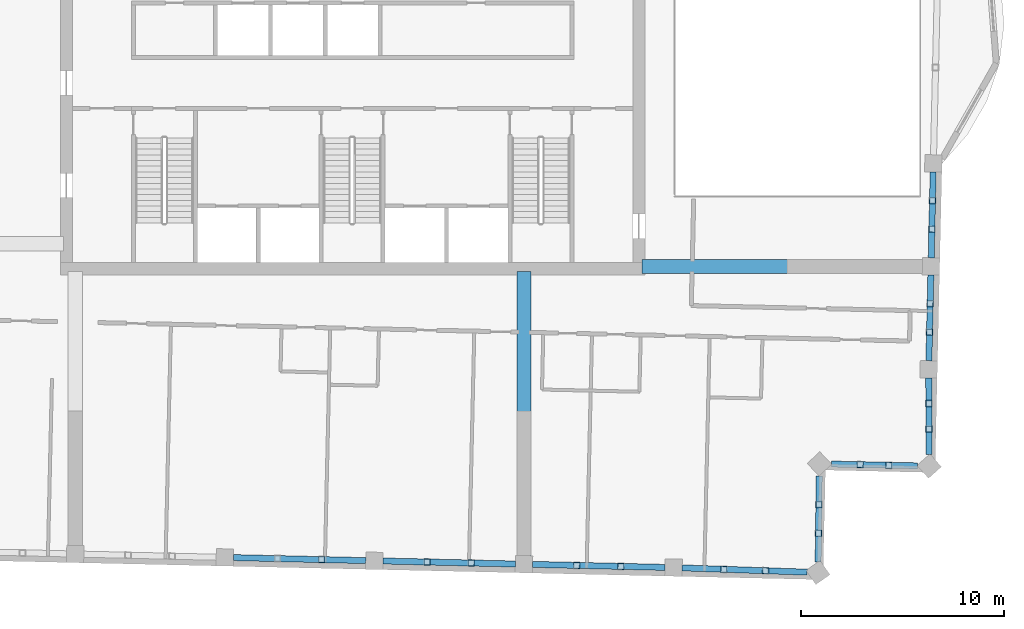
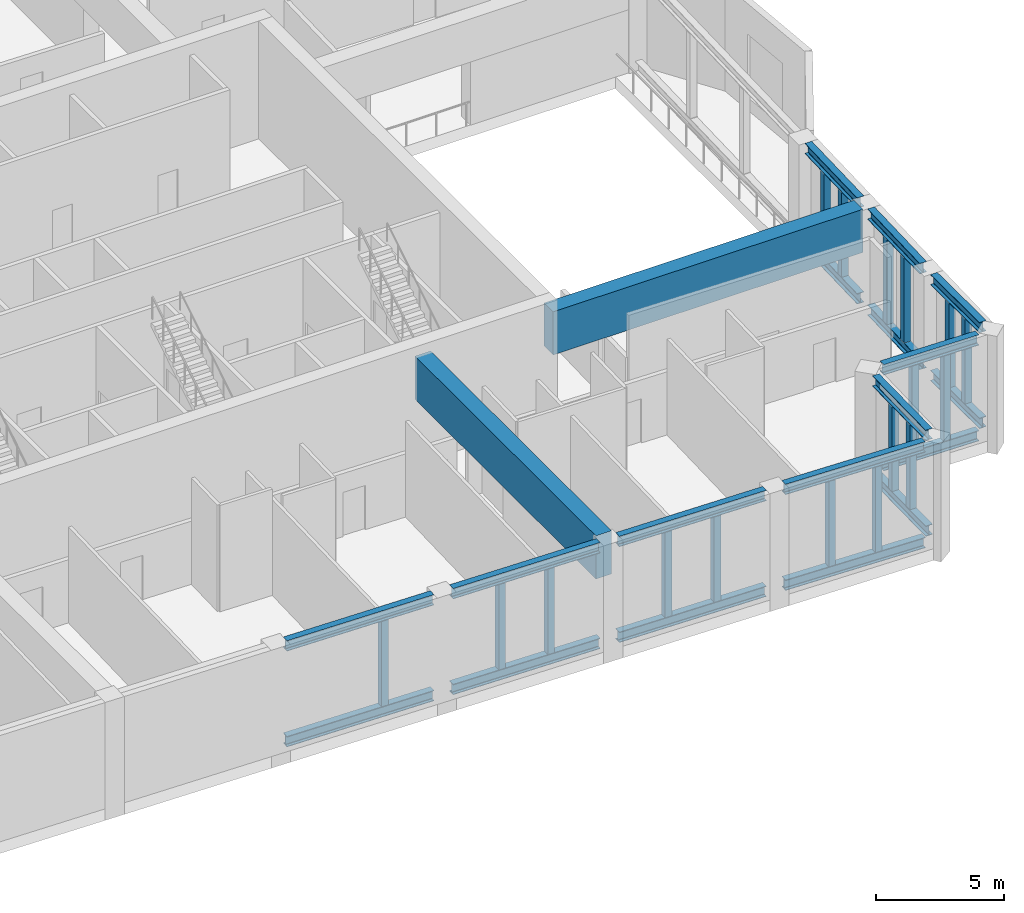
# One storey, part 4 of 16: 35 members, 2 beams.
"""IFC4 building model written with IfcOpenShell, lengths in metres."""

from ifc_helpers import new_model, si_unit, direction, frame, origin, origin_2d, place, context, subcontext, project, spatial, rectangle, hollow_rectangle, i_section, extrude, material, material_profile, profile_set, type_object, element, save


model = new_model("IFC4")

# Units and contexts
model_context = context("Model", 3, precision=1e-05, world=origin(), true_north=direction((0.0, 1.0)))
body_context = subcontext(model_context, "Body", "Model", "MODEL_VIEW")
ifc_project = project(units=[si_unit("LENGTHUNIT", "METRE"), si_unit("AREAUNIT", "SQUARE_METRE"), si_unit("VOLUMEUNIT", "CUBIC_METRE"), si_unit("PLANEANGLEUNIT", "RADIAN"), si_unit("MASSUNIT", "GRAM", prefix="KILO")], contexts=[model_context])

# Site, building, storey
site_placement = place(None, origin())
site = spatial("IfcSite", under=ifc_project, at=site_placement, CompositionType="ELEMENT")
building_placement = place(site_placement, origin())
building = spatial("IfcBuilding", under=site, at=building_placement, Name="Mangrove Gate Tower", CompositionType="ELEMENT")
storey_placement = place(building_placement, frame((0.0, 0.0, 324.10009765625)))
storey = spatial("IfcBuildingStorey", under=building, at=storey_placement, Name="L83", CompositionType="ELEMENT", Elevation=324.10009765625)

# Members
ifc_material_1 = material(Name="Steel S355J2", Category="steel")
ifc_material_profile_1 = material_profile(ifc_material_1, i_section(OverallWidth=0.300048828125, OverallDepth=0.5, WebThickness=0.014404296875, FlangeThickness=0.028076171875, FilletRadius=0.027099609375, at=origin_2d()))
ifc_profile_set_1 = profile_set([ifc_material_profile_1], Name="Steel S355J2")
member_type_1 = type_object("IfcMemberType", Name="Belt truss chord HE 500 B", PredefinedType="CHORD", material=ifc_profile_set_1)
for number, where, z_axis, x_axis, name in (
    (1, (-5.87451171875, -25.334716796875, 0.25), (0.999743514138, -0.022647426744, 0.0), (0.022647426744, 0.999743514138, 0.0), "Belt truss bottom chord L83 08"),
    (2, (-5.87451171875, -25.334716796875, 4.7998046875), (0.999743514138, -0.022647426744, 0.0), (0.022647426744, 0.999743514138, 0.0), "Belt truss top chord L83 08"),
):
    element("IfcMember", number, at=place(storey_placement, frame(where, z_axis=z_axis, x_axis=x_axis)), inside=storey, type_object=member_type_1, Name=name, PredefinedType="CHORD", context=body_context, shape_type="SweptSolid", body=[
        extrude(i_section(OverallWidth=0.300048828125, OverallDepth=0.5, WebThickness=0.014404296875, FlangeThickness=0.028076171875, FilletRadius=0.027099609375, at=origin_2d()), origin(), (0.0, 0.0, 1.0), 6.52197265625),
    ])
for number, where, z_axis, x_axis, name in (
    (3, (1.49560546875, -25.501708984375, 0.25), (0.999740015405, -0.022801350812, 0.0), (0.022801350812, 0.999740015405, 0.0), "Belt truss bottom chord L83 09"),
    (4, (1.49560546875, -25.501708984375, 4.7998046875), (0.999740015405, -0.022801350812, 0.0), (0.022801350812, 0.999740015405, 0.0), "Belt truss top chord L83 09"),
):
    element("IfcMember", number, at=place(storey_placement, frame(where, z_axis=z_axis, x_axis=x_axis)), inside=storey, type_object=member_type_1, Name=name, PredefinedType="CHORD", context=body_context, shape_type="SweptSolid", body=[
        extrude(i_section(OverallWidth=0.300048828125, OverallDepth=0.5, WebThickness=0.014404296875, FlangeThickness=0.028076171875, FilletRadius=0.027099609375, at=origin_2d()), origin(), (0.0, 0.0, 1.0), 6.520751953125),
    ])
for number, where, z_axis, x_axis, name in (
    (5, (8.864501953125, -25.669677734375, 0.25), (0.999743514138, -0.022647426744, 0.0), (0.022647426744, 0.999743514138, 0.0), "Belt truss bottom chord L83 10"),
    (6, (8.864501953125, -25.669677734375, 4.7998046875), (0.999743514138, -0.022647426744, 0.0), (0.022647426744, 0.999743514138, 0.0), "Belt truss top chord L83 10"),
):
    element("IfcMember", number, at=place(storey_placement, frame(where, z_axis=z_axis, x_axis=x_axis)), inside=storey, type_object=member_type_1, Name=name, PredefinedType="CHORD", context=body_context, shape_type="SweptSolid", body=[
        extrude(i_section(OverallWidth=0.300048828125, OverallDepth=0.5, WebThickness=0.014404296875, FlangeThickness=0.028076171875, FilletRadius=0.027099609375, at=origin_2d()), origin(), (0.0, 0.0, 1.0), 6.52197265625),
    ])
for number, where, z_axis, x_axis, name in (
    (7, (16.234375, -25.841552734375, 0.25), (0.999414481701, -0.034215402472, 0.0), (0.034215402472, 0.999414481701, 0.0), "Belt truss bottom chord L83 11"),
    (8, (16.234375, -25.841552734375, 4.7998046875), (0.999414481701, -0.034215402472, 0.0), (0.034215402472, 0.999414481701, 0.0), "Belt truss top chord L83 11"),
):
    element("IfcMember", number, at=place(storey_placement, frame(where, z_axis=z_axis, x_axis=x_axis)), inside=storey, type_object=member_type_1, Name=name, PredefinedType="CHORD", context=body_context, shape_type="SweptSolid", body=[
        extrude(i_section(OverallWidth=0.300048828125, OverallDepth=0.5, WebThickness=0.014404296875, FlangeThickness=0.028076171875, FilletRadius=0.027099609375, at=origin_2d()), origin(), (0.0, 0.0, 1.0), 6.1650390625),
    ])
for number, where, z_axis, x_axis, name in (
    (9, (22.93359375, -25.54736328125, 0.25), (0.013421223227, 0.999909931327, 0.0), (-0.999909931327, 0.013421223227, 0.0), "Belt truss bottom chord L83 12"),
    (10, (22.93359375, -25.54736328125, 4.7998046875), (0.013421223227, 0.999909931327, 0.0), (-0.999909931327, 0.013421223227, 0.0), "Belt truss top chord L83 12"),
):
    element("IfcMember", number, at=place(storey_placement, frame(where, z_axis=z_axis, x_axis=x_axis)), inside=storey, type_object=member_type_1, Name=name, PredefinedType="CHORD", context=body_context, shape_type="SweptSolid", body=[
        extrude(i_section(OverallWidth=0.300048828125, OverallDepth=0.5, WebThickness=0.014404296875, FlangeThickness=0.028076171875, FilletRadius=0.027099609375, at=origin_2d()), origin(), (0.0, 0.0, 1.0), 4.238525390625),
    ])
for number, where, z_axis, x_axis, name in (
    (11, (23.59814453125, -20.726318359375, 0.25), (0.999781475511, -0.020904574258, 0.0), (0.020904574258, 0.999781475511, 0.0), "Belt truss bottom chord L83 13"),
    (12, (23.59814453125, -20.726318359375, 4.7998046875), (0.999781475511, -0.020904574258, 0.0), (0.020904574258, 0.999781475511, 0.0), "Belt truss top chord L83 13"),
):
    element("IfcMember", number, at=place(storey_placement, frame(where, z_axis=z_axis, x_axis=x_axis)), inside=storey, type_object=member_type_1, Name=name, PredefinedType="CHORD", context=body_context, shape_type="SweptSolid", body=[
        extrude(i_section(OverallWidth=0.300048828125, OverallDepth=0.5, WebThickness=0.014404296875, FlangeThickness=0.028076171875, FilletRadius=0.027099609375, at=origin_2d()), origin(), (0.0, 0.0, 1.0), 4.227783203125),
    ])
for number, where, z_axis, x_axis, name in (
    (13, (28.404052734375, -20.25830078125, 0.25), (-0.005499043463, 0.999984880146, 0.0), (-0.999984880146, -0.005499043463, 0.0), "Belt truss bottom chord L83 14"),
    (14, (28.404052734375, -20.25830078125, 4.7998046875), (-0.005499043463, 0.999984880146, 0.0), (-0.999984880146, -0.005499043463, 0.0), "Belt truss top chord L83 14"),
):
    element("IfcMember", number, at=place(storey_placement, frame(where, z_axis=z_axis, x_axis=x_axis)), inside=storey, type_object=member_type_1, Name=name, PredefinedType="CHORD", context=body_context, shape_type="SweptSolid", body=[
        extrude(i_section(OverallWidth=0.300048828125, OverallDepth=0.5, WebThickness=0.014404296875, FlangeThickness=0.028076171875, FilletRadius=0.027099609375, at=origin_2d()), origin(), (0.0, 0.0, 1.0), 3.773681640625),
    ])
for number, where, z_axis, x_axis, name in (
    (15, (28.390625, -15.634521484375, 0.25), (0.022713528253, 0.999742014539, 0.0), (-0.999742014539, 0.022713528253, 0.0), "Belt truss bottom chord L83 15"),
    (16, (28.390625, -15.634521484375, 4.7998046875), (0.022713528253, 0.999742014539, 0.0), (-0.999742014539, 0.022713528253, 0.0), "Belt truss top chord L83 15"),
):
    element("IfcMember", number, at=place(storey_placement, frame(where, z_axis=z_axis, x_axis=x_axis)), inside=storey, type_object=member_type_1, Name=name, PredefinedType="CHORD", context=body_context, shape_type="SweptSolid", body=[
        extrude(i_section(OverallWidth=0.300048828125, OverallDepth=0.5, WebThickness=0.014404296875, FlangeThickness=0.028076171875, FilletRadius=0.027099609375, at=origin_2d()), origin(), (0.0, 0.0, 1.0), 4.22412109375),
    ])
for number, where, z_axis, x_axis, name in (
    (17, (28.505859375, -10.5615234375, 0.25), (0.022649219304, 0.99974347353, 0.0), (-0.99974347353, 0.022649219304, 0.0), "Belt truss bottom chord L83 16"),
    (18, (28.505859375, -10.5615234375, 4.7998046875), (0.022649219304, 0.99974347353, 0.0), (-0.99974347353, 0.022649219304, 0.0), "Belt truss top chord L83 16"),
):
    element("IfcMember", number, at=place(storey_placement, frame(where, z_axis=z_axis, x_axis=x_axis)), inside=storey, type_object=member_type_1, Name=name, PredefinedType="CHORD", context=body_context, shape_type="SweptSolid", body=[
        extrude(i_section(OverallWidth=0.300048828125, OverallDepth=0.5, WebThickness=0.014404296875, FlangeThickness=0.028076171875, FilletRadius=0.027099609375, at=origin_2d()), origin(), (0.0, 0.0, 1.0), 4.225341796875),
    ])
ifc_material_2 = material(Name="Steel S355J2H", Category="steel")
ifc_material_profile_2 = material_profile(ifc_material_2, hollow_rectangle(XDim=0.300048828125, YDim=0.300048828125, WallThickness=0.012451171875, at=origin_2d()))
ifc_profile_set_2 = profile_set([ifc_material_profile_2], Name="Steel S355J2H")
member_type_2 = type_object("IfcMemberType", Name="Belt truss post SHS 300x300x12.5", PredefinedType="POST", material=ifc_profile_set_2)
for number, where, z_axis, x_axis, name in (
    (19, (-1.527587890625, -25.433349609375, 0.5), (0.0, 0.0, 1.0), (0.999743372975, -0.022653657376, 0.0), "Belt truss post L83 08-2"),
    (20, (3.668701171875, -25.55126953125, 0.5), (0.0, 0.0, 1.0), (0.999740222062, -0.022792287981, 0.0), "Belt truss post L83 09-1"),
    (21, (5.841796875, -25.600830078125, 0.5), (0.0, 0.0, 1.0), (0.999740222062, -0.022792287981, 0.0), "Belt truss post L83 09-2"),
    (22, (11.037841796875, -25.718994140625, 0.5), (0.0, 0.0, 1.0), (0.999743374952, -0.022653570131, 0.0), "Belt truss post L83 10-1"),
    (23, (13.21142578125, -25.768310546875, 0.5), (0.0, 0.0, 1.0), (0.999743374952, -0.022653570131, 0.0), "Belt truss post L83 10-2"),
    (24, (18.2880859375, -25.911865234375, 0.5), (0.0, 0.0, 1.0), (0.999415590638, -0.034182995632, 0.0), "Belt truss post L83 11-1"),
    (25, (20.341796875, -25.982177734375, 0.5), (0.0, 0.0, 1.0), (0.999415590638, -0.034182995632, 0.0), "Belt truss post L83 11-2"),
    (26, (22.95263671875, -24.134521484375, 0.5), (0.0, 0.0, 1.0), (0.013379382111, 0.999910492061, 0.0), "Belt truss post L83 12-1"),
    (27, (22.971435546875, -22.721923828125, 0.5), (0.0, 0.0, 1.0), (0.013379382111, 0.999910492061, 0.0), "Belt truss post L83 12-2"),
    (28, (25.007080078125, -20.755615234375, 0.5), (0.0, 0.0, 1.0), (0.999781596309, -0.020898796202, 0.0), "Belt truss post L83 13-1"),
    (29, (26.416015625, -20.78515625, 0.5), (0.0, 0.0, 1.0), (0.999781596309, -0.020898796202, 0.0), "Belt truss post L83 13-2"),
    (30, (28.397216796875, -19.00048828125, 0.5), (0.0, 0.0, 1.0), (-0.005436185152, 0.999985223836, 0.0), "Belt truss post L83 14-1"),
    (31, (28.390380859375, -17.742431640625, 0.5), (0.0, 0.0, 1.0), (-0.005436185152, 0.999985223836, 0.0), "Belt truss post L83 14-2"),
    (32, (28.422607421875, -14.226806640625, 0.5), (0.0, 0.0, 1.0), (0.022663201875, 0.999743156656, 0.0), "Belt truss post L83 15-1"),
    (33, (28.45458984375, -12.819091796875, 0.5), (0.0, 0.0, 1.0), (0.022663201875, 0.999743156656, 0.0), "Belt truss post L83 15-2"),
    (34, (28.53759765625, -9.1533203125, 0.5), (0.0, 0.0, 1.0), (0.022658700082, 0.999743258697, 0.0), "Belt truss post L83 16-1"),
    (35, (28.569580078125, -7.745361328125, 0.5), (0.0, 0.0, 1.0), (0.022658700082, 0.999743258697, 0.0), "Belt truss post L83 16-2"),
):
    element("IfcMember", number, at=place(storey_placement, frame(where, z_axis=z_axis, x_axis=x_axis)), inside=storey, type_object=member_type_2, Name=name, PredefinedType="POST", context=body_context, shape_type="SweptSolid", body=[
        extrude(hollow_rectangle(XDim=0.300048828125, YDim=0.300048828125, WallThickness=0.012451171875, at=origin_2d()), origin(), (0.0, 0.0, 1.0), 4.0498046875),
    ])

# Beams
ifc_material_3 = material(Name="Concrete C50/60", Category="concrete")
ifc_material_profile_3 = material_profile(ifc_material_3, rectangle(XDim=0.699951171875, YDim=2.050048828125, at=origin_2d()))
ifc_profile_set_3 = profile_set([ifc_material_profile_3], Name="Concrete C50/60")
beam_type = type_object("IfcBeamType", Name="Outrigger coupling beam RC 700x2050 C50/60", PredefinedType="BEAM", material=ifc_profile_set_3)
beam_1_placement = place(storey_placement, frame((8.439697265625, -11.25, 4.02490234375), z_axis=(0.0, -1.0, 0.0), x_axis=(1.0, 0.0, 0.0)))
element("IfcBeam", 36, at=beam_1_placement, inside=storey, type_object=beam_type, Name="Outrigger coupling beam L83 OR4", PredefinedType="BEAM", context=body_context, shape_type="SweptSolid", body=[
    extrude(rectangle(XDim=0.699951171875, YDim=2.050048828125, at=origin_2d()), origin(), (0.0, 0.0, 1.0), 14.0849609375),
])
beam_2_placement = place(storey_placement, frame((14.25, -10.986328125, 4.02490234375), z_axis=(1.0, 0.0, 0.0), x_axis=(0.0, 1.0, 0.0)))
element("IfcBeam", 37, at=beam_2_placement, inside=storey, type_object=beam_type, Name="Outrigger coupling beam L83 OR5", PredefinedType="BEAM", context=body_context, shape_type="SweptSolid", body=[
    extrude(rectangle(XDim=0.699951171875, YDim=2.050048828125, at=origin_2d()), origin(), (0.0, 0.0, 1.0), 13.9208984375),
])

save(model, "model.ifc")
